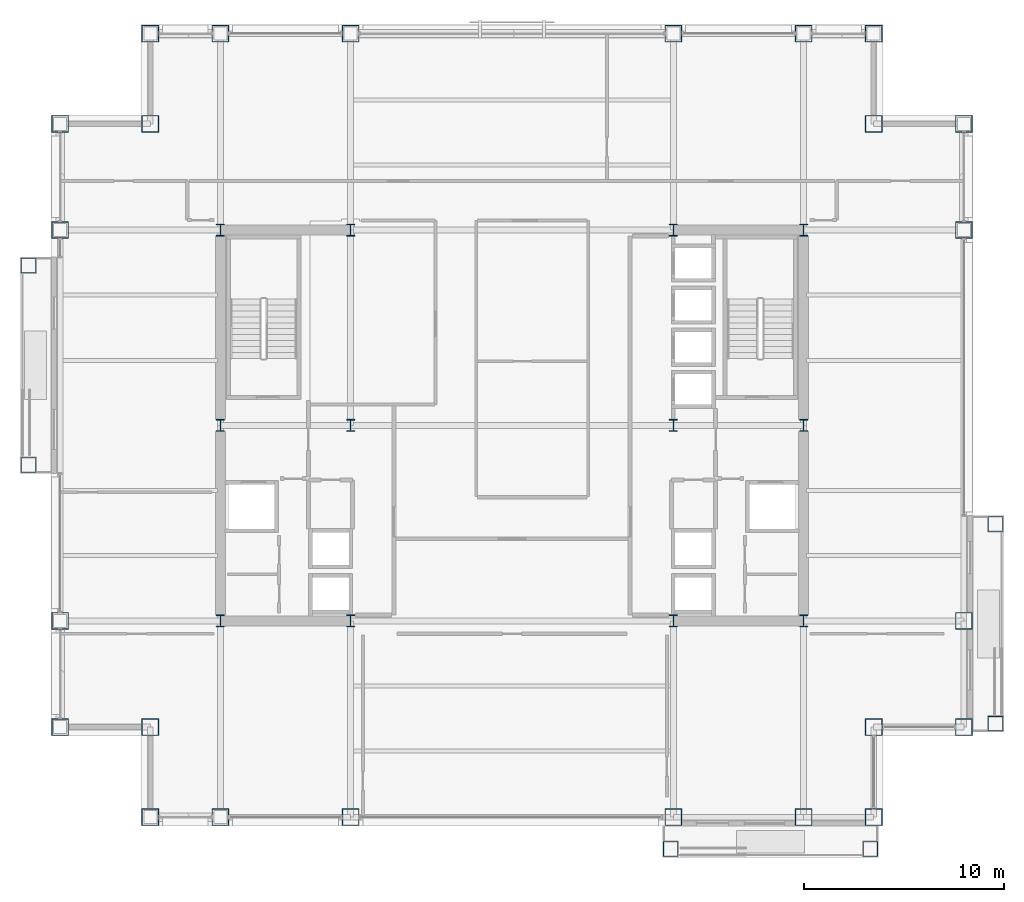
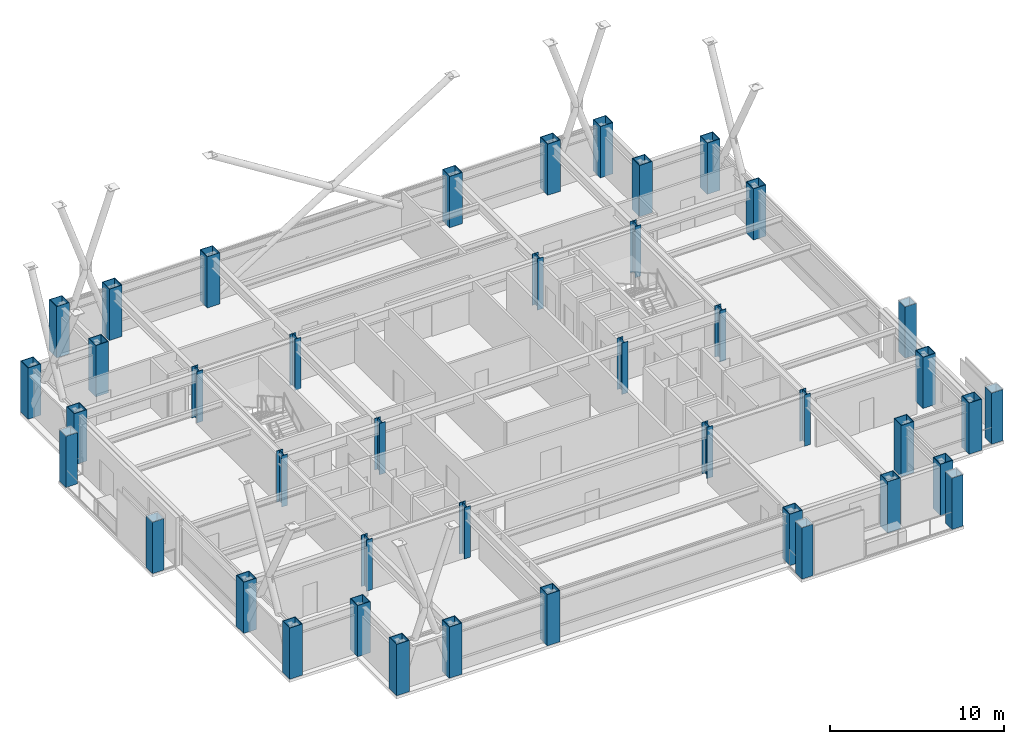
# One storey, part 1 of 34: 42 columns.
"""IFC4 building model written with IfcOpenShell, lengths in metres."""

from ifc_helpers import new_model, si_unit, direction, frame, origin, origin_2d, place, context, subcontext, project, spatial, hollow_rectangle, i_section, extrude, material, material_profile, profile_set, type_object, element, save


model = new_model("IFC4")

# Units and contexts
model_context = context("Model", 3, precision=1e-05, world=origin(), true_north=direction((0.0, 1.0)))
body_context = subcontext(model_context, "Body", "Model", "MODEL_VIEW")
ifc_project = project(units=[si_unit("LENGTHUNIT", "METRE"), si_unit("AREAUNIT", "SQUARE_METRE"), si_unit("VOLUMEUNIT", "CUBIC_METRE"), si_unit("PLANEANGLEUNIT", "RADIAN"), si_unit("MASSUNIT", "GRAM", prefix="KILO")], contexts=[model_context])

# Site, building, storey
site_placement = place(None, origin())
site = spatial("IfcSite", under=ifc_project, at=site_placement, CompositionType="ELEMENT")
building_placement = place(site_placement, origin())
building = spatial("IfcBuilding", under=site, at=building_placement, Name="Brelmoor Portico Tower", CompositionType="ELEMENT")
storey_placement = place(building_placement, frame((0.0, 0.0, 99.0)))
storey = spatial("IfcBuildingStorey", under=building, at=storey_placement, Name="L25", CompositionType="ELEMENT", Elevation=99.0)

# Columns
ifc_material = material(Name="Steel Q355B", Category="steel")
ifc_material_profile_1 = material_profile(ifc_material, hollow_rectangle(XDim=0.75, YDim=0.75, WallThickness=0.031982421875, at=origin_2d()), Name="BOX 750x750x32")
ifc_profile_set_1 = profile_set([ifc_material_profile_1], Name="Steel Q355B")
column_type_1 = type_object("IfcColumnType", Name="COL-MEGA-750", PredefinedType="COLUMN", material=ifc_profile_set_1)
for number, where, z_axis, x_axis, name in (
    (1, (7.919921875, -21.1298828125, 0.0), (0.0, 0.0, 1.0), (1.0, 0.0, 0.0), "L25 Proud Picture-Frame Pier PFJ-S1"),
    (2, (17.8798828125, -21.1298828125, 0.0), (0.0, 0.0, 1.0), (1.0, 0.0, 0.0), "L25 Proud Picture-Frame Pier PFJ-S2"),
    (3, (24.1298828125, -14.8798828125, 0.0), (0.0, 0.0, 1.0), (0.0, 1.0, 0.0), "L25 Proud Picture-Frame Pier PFJ-E1"),
    (4, (24.1298828125, -4.919921875, 0.0), (0.0, 0.0, 1.0), (0.0, 1.0, 0.0), "L25 Proud Picture-Frame Pier PFJ-E2"),
    (5, (-24.1298828125, -1.97998046875, 0.0), (0.0, 0.0, 1.0), (0.0, 1.0, 0.0), "L25 Proud Picture-Frame Pier PFJ-W1"),
    (6, (-24.1298828125, 7.97998046875, 0.0), (0.0, 0.0, 1.0), (0.0, 1.0, 0.0), "L25 Proud Picture-Frame Pier PFJ-W2"),
):
    element("IfcColumn", number, at=place(storey_placement, frame(where, z_axis=z_axis, x_axis=x_axis)), inside=storey, type_object=column_type_1, Name=name, PredefinedType="COLUMN", context=body_context, shape_type="SweptSolid", body=[
        extrude(hollow_rectangle(XDim=0.75, YDim=0.75, WallThickness=0.031982421875, at=origin_2d()), origin(), (0.0, 0.0, 1.0), 3.60009765625),
    ])
ifc_material_profile_2 = material_profile(ifc_material, hollow_rectangle(XDim=0.85009765625, YDim=0.85009765625, WallThickness=0.0400390625, at=origin_2d()), Name="BOX 850x850x40")
ifc_profile_set_2 = profile_set([ifc_material_profile_2], Name="Steel Q355B")
column_type_2 = type_object("IfcColumnType", Name="COL-MEGA-850", PredefinedType="COLUMN", material=ifc_profile_set_2)
for number, where, z_axis, x_axis, name in (
    (7, (-18.050048828125, -19.550048828125, 0.0), (0.0, 0.0, 1.0), (1.0, 0.0, 0.0), "L25 Perimeter Mega-Column PS01"),
    (8, (-14.550048828125, -19.550048828125, 0.0), (0.0, 0.0, 1.0), (1.0, 0.0, 0.0), "L25 Perimeter Mega-Column PS02"),
    (9, (-8.050048828125, -19.550048828125, 0.0), (0.0, 0.0, 1.0), (1.0, 0.0, 0.0), "L25 Perimeter Mega-Column PS03"),
    (10, (8.050048828125, -19.550048828125, 0.0), (0.0, 0.0, 1.0), (1.0, 0.0, 0.0), "L25 Perimeter Mega-Column PS04"),
    (11, (14.550048828125, -19.550048828125, 0.0), (0.0, 0.0, 1.0), (1.0, 0.0, 0.0), "L25 Perimeter Mega-Column PS05"),
    (12, (18.050048828125, -19.550048828125, 0.0), (0.0, 0.0, 1.0), (1.0, 0.0, 0.0), "L25 Perimeter Mega-Column PS06"),
    (13, (-18.050048828125, 19.550048828125, 0.0), (0.0, 0.0, 1.0), (1.0, 0.0, 0.0), "L25 Perimeter Mega-Column PN01"),
    (14, (-14.550048828125, 19.550048828125, 0.0), (0.0, 0.0, 1.0), (1.0, 0.0, 0.0), "L25 Perimeter Mega-Column PN02"),
    (15, (-8.050048828125, 19.550048828125, 0.0), (0.0, 0.0, 1.0), (1.0, 0.0, 0.0), "L25 Perimeter Mega-Column PN03"),
    (16, (8.050048828125, 19.550048828125, 0.0), (0.0, 0.0, 1.0), (1.0, 0.0, 0.0), "L25 Perimeter Mega-Column PN04"),
    (17, (14.550048828125, 19.550048828125, 0.0), (0.0, 0.0, 1.0), (1.0, 0.0, 0.0), "L25 Perimeter Mega-Column PN05"),
    (18, (18.050048828125, 19.550048828125, 0.0), (0.0, 0.0, 1.0), (1.0, 0.0, 0.0), "L25 Perimeter Mega-Column PN06"),
    (19, (-22.550048828125, -15.050048828125, 0.0), (0.0, 0.0, 1.0), (0.0, 1.0, 0.0), "L25 Perimeter Mega-Column PW01"),
    (20, (-22.550048828125, -9.75, 0.0), (0.0, 0.0, 1.0), (0.0, 1.0, 0.0), "L25 Perimeter Mega-Column PW02"),
    (21, (-22.550048828125, 9.75, 0.0), (0.0, 0.0, 1.0), (0.0, 1.0, 0.0), "L25 Perimeter Mega-Column PW03"),
    (22, (-22.550048828125, 15.050048828125, 0.0), (0.0, 0.0, 1.0), (0.0, 1.0, 0.0), "L25 Perimeter Mega-Column PW04"),
    (23, (22.550048828125, -15.050048828125, 0.0), (0.0, 0.0, 1.0), (0.0, 1.0, 0.0), "L25 Perimeter Mega-Column PE01"),
    (24, (22.550048828125, -9.75, 0.0), (0.0, 0.0, 1.0), (0.0, 1.0, 0.0), "L25 Perimeter Mega-Column PE02"),
    (25, (22.550048828125, 9.75, 0.0), (0.0, 0.0, 1.0), (0.0, 1.0, 0.0), "L25 Perimeter Mega-Column PE03"),
    (26, (22.550048828125, 15.050048828125, 0.0), (0.0, 0.0, 1.0), (0.0, 1.0, 0.0), "L25 Perimeter Mega-Column PE04"),
    (27, (-18.050048828125, 15.050048828125, 0.0), (0.0, 0.0, 1.0), (1.0, 0.0, 0.0), "L25 Perimeter Mega-Column PC-NW"),
    (28, (18.050048828125, 15.050048828125, 0.0), (0.0, 0.0, 1.0), (1.0, 0.0, 0.0), "L25 Perimeter Mega-Column PC-NE"),
    (29, (18.050048828125, -15.050048828125, 0.0), (0.0, 0.0, 1.0), (1.0, 0.0, 0.0), "L25 Perimeter Mega-Column PC-SE"),
    (30, (-18.050048828125, -15.050048828125, 0.0), (0.0, 0.0, 1.0), (1.0, 0.0, 0.0), "L25 Perimeter Mega-Column PC-SW"),
):
    element("IfcColumn", number, at=place(storey_placement, frame(where, z_axis=z_axis, x_axis=x_axis)), inside=storey, type_object=column_type_2, Name=name, PredefinedType="COLUMN", context=body_context, shape_type="SweptSolid", body=[
        extrude(hollow_rectangle(XDim=0.85009765625, YDim=0.85009765625, WallThickness=0.0400390625, at=origin_2d()), origin(), (0.0, 0.0, 1.0), 3.60009765625),
    ])
ifc_material_profile_3 = material_profile(ifc_material, i_section(OverallWidth=0.39990234375, OverallDepth=0.60009765625, WebThickness=0.02197265625, FlangeThickness=0.035888671875, at=origin_2d()), Name="HW 600x400x22x36")
ifc_profile_set_3 = profile_set([ifc_material_profile_3], Name="Steel Q355B")
column_type_3 = type_object("IfcColumnType", Name="COL-SPINE-600", PredefinedType="COLUMN", material=ifc_profile_set_3)
for number, where, z_axis, x_axis, name in (
    (31, (-14.550048828125, -9.75, 0.0), (0.0, 0.0, 1.0), (1.0, 0.0, 0.0), "L25 Core Spine Column CW-SW"),
    (32, (-14.550048828125, 0.0, 0.0), (0.0, 0.0, 1.0), (1.0, 0.0, 0.0), "L25 Core Spine Column CW-MW"),
    (33, (-14.550048828125, 9.75, 0.0), (0.0, 0.0, 1.0), (1.0, 0.0, 0.0), "L25 Core Spine Column CW-NW"),
    (34, (-8.050048828125, -9.75, 0.0), (0.0, 0.0, 1.0), (1.0, 0.0, 0.0), "L25 Core Spine Column CW-SE"),
    (35, (-8.050048828125, 0.0, 0.0), (0.0, 0.0, 1.0), (1.0, 0.0, 0.0), "L25 Core Spine Column CW-ME"),
    (36, (-8.050048828125, 9.75, 0.0), (0.0, 0.0, 1.0), (1.0, 0.0, 0.0), "L25 Core Spine Column CW-NE"),
    (37, (8.050048828125, -9.75, 0.0), (0.0, 0.0, 1.0), (1.0, 0.0, 0.0), "L25 Core Spine Column CE-SW"),
    (38, (8.050048828125, 0.0, 0.0), (0.0, 0.0, 1.0), (1.0, 0.0, 0.0), "L25 Core Spine Column CE-MW"),
    (39, (8.050048828125, 9.75, 0.0), (0.0, 0.0, 1.0), (1.0, 0.0, 0.0), "L25 Core Spine Column CE-NW"),
    (40, (14.550048828125, -9.75, 0.0), (0.0, 0.0, 1.0), (1.0, 0.0, 0.0), "L25 Core Spine Column CE-SE"),
    (41, (14.550048828125, 0.0, 0.0), (0.0, 0.0, 1.0), (1.0, 0.0, 0.0), "L25 Core Spine Column CE-ME"),
    (42, (14.550048828125, 9.75, 0.0), (0.0, 0.0, 1.0), (1.0, 0.0, 0.0), "L25 Core Spine Column CE-NE"),
):
    element("IfcColumn", number, at=place(storey_placement, frame(where, z_axis=z_axis, x_axis=x_axis)), inside=storey, type_object=column_type_3, Name=name, PredefinedType="COLUMN", context=body_context, shape_type="SweptSolid", body=[
        extrude(i_section(OverallWidth=0.39990234375, OverallDepth=0.60009765625, WebThickness=0.02197265625, FlangeThickness=0.035888671875, at=origin_2d()), origin(), (0.0, 0.0, 1.0), 3.60009765625),
    ])

save(model, "model.ifc")
